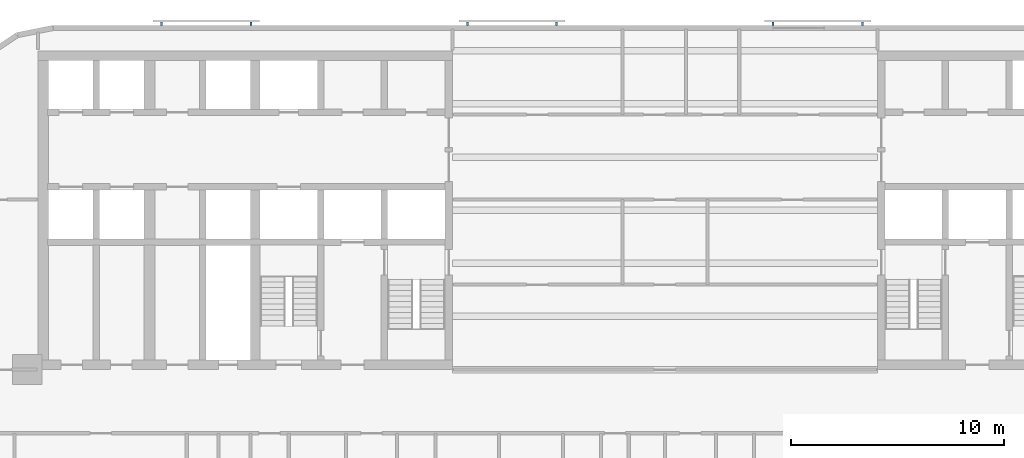
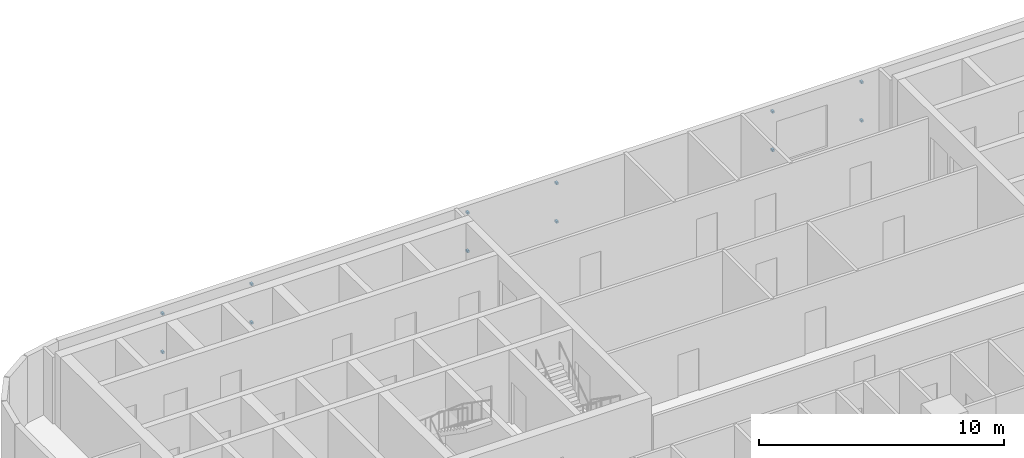
# One storey, part 10 of 14: 12 discrete accessories.
"""IFC4 building model written with IfcOpenShell, lengths in metres."""

import ifcopenshell
import ifcopenshell.guid

model = None  # the IFC model being written
_history = None  # IfcOwnerHistory: only IFC2X3 demands one
_inside = {}  # id of a spatial element -> (the spatial element, [elements in it])
_under = {}  # id of a project, library or spatial element -> (it, [spatial elements below it])
_declared = {}  # id of a project -> (the project, [libraries it declares])
_typed = {}  # id of a type object -> (the type object, [elements of that type])
_made_of = {}  # id of a material, layer set ... -> (it, [elements and type objects made of it])


def new_model(schema):
    """Start an empty IFC model of exactly this schema.

    Asked for "IFC4X3", IfcOpenShell would pick the latest addendum, in which some entities
    have other attributes; the version numbers below select the first issue.
    IFC2X3 requires an IfcOwnerHistory on every rooted entity: one is made here for all.
    """
    global model, _history
    if schema == "IFC4X3":
        model = ifcopenshell.file(schema_version=(4, 3, 0, 0))
    else:
        model = ifcopenshell.file(schema=schema)
    _inside.clear()
    _under.clear()
    _declared.clear()
    _typed.clear()
    _made_of.clear()
    _history = None
    if model.schema == "IFC2X3":
        org = make("IfcOrganization", Name="unknown")
        user = make(
            "IfcPersonAndOrganization",
            ThePerson=make("IfcPerson", FamilyName="unknown"),
            TheOrganization=org,
        )
        app = make(
            "IfcApplication",
            ApplicationDeveloper=org,
            Version="unknown",
            ApplicationFullName="unknown",
            ApplicationIdentifier="unknown",
        )
        _history = make(
            "IfcOwnerHistory",
            OwningUser=user,
            OwningApplication=app,
            ChangeAction="ADDED",
            CreationDate=0,
        )
    return model


def make(cls, **values):
    """One entity of the class cls with the attributes given. An attribute that is None is left unset."""
    return model.create_entity(
        cls, **{name: value for name, value in values.items() if value is not None}
    )


def rooted(cls, **values):
    """An entity with a GlobalId (a new one), such as an element, a storey or a relation."""
    return make(cls, GlobalId=ifcopenshell.guid.new(), OwnerHistory=_history, **values)


def si_unit(unit_type, name, prefix=None):
    """IfcSIUnit, for example si_unit("LENGTHUNIT", "METRE", prefix="MILLI")."""
    return make("IfcSIUnit", UnitType=unit_type, Prefix=prefix, Name=name)


def assignment(units):
    """IfcUnitAssignment: the units of a project."""
    return None if units is None else make("IfcUnitAssignment", Units=units)


def point(xyz):
    """IfcCartesianPoint."""
    return None if xyz is None else make("IfcCartesianPoint", Coordinates=xyz)


def direction(xyz):
    """IfcDirection."""
    return None if xyz is None else make("IfcDirection", DirectionRatios=xyz)


def frame(location, z_axis=None, x_axis=None):
    """IfcAxis2Placement3D, a coordinate frame: its origin and axes. An axis left out is left unset."""
    return make(
        "IfcAxis2Placement3D",
        Location=point(location),
        Axis=direction(z_axis),
        RefDirection=direction(x_axis),
    )


def frame_2d(location, x_axis=None):
    """IfcAxis2Placement2D, a coordinate frame in the plane: its origin and x axis."""
    return make(
        "IfcAxis2Placement2D", Location=point(location), RefDirection=direction(x_axis)
    )


def origin():
    """The frame at (0, 0, 0) with its axes left unset."""
    return frame((0.0, 0.0, 0.0))


def origin_2d():
    """The frame at (0, 0) in the plane with its x axis left unset."""
    return frame_2d((0.0, 0.0))


def place(relative_to, where):
    """IfcLocalPlacement: puts the frame where relative to a parent placement (None: the world)."""
    return make(
        "IfcLocalPlacement", PlacementRelTo=relative_to, RelativePlacement=where
    )


def context(
    kind, dimensions, precision=None, world=None, true_north=None, identifier=None
):
    """IfcGeometricRepresentationContext, for example the 3D "Model" context."""
    return make(
        "IfcGeometricRepresentationContext",
        ContextIdentifier=identifier,
        ContextType=kind,
        CoordinateSpaceDimension=dimensions,
        Precision=precision,
        WorldCoordinateSystem=world,
        TrueNorth=true_north,
    )


def subcontext(parent, identifier, kind, view, scale=None):
    """IfcGeometricRepresentationSubContext, for example "Body" below "Model"."""
    return make(
        "IfcGeometricRepresentationSubContext",
        ContextIdentifier=identifier,
        ContextType=kind,
        ParentContext=parent,
        TargetScale=scale,
        TargetView=view,
    )


def project(units=None, contexts=None):
    """IfcProject with its units and contexts."""
    return rooted(
        "IfcProject",
        Name="project",
        RepresentationContexts=contexts,
        UnitsInContext=assignment(units),
    )


def spatial(cls, under=None, at=None, **own):
    """A site, building, storey or space (cls), placed at a placement, below another one or the project."""
    s = rooted(cls, ObjectPlacement=at, **own)
    if under is not None:
        _under.setdefault(under.id(), (under, []))[1].append(s)
    return s


def profile(cls, at=None, kind="AREA", **sizes):
    """A parametric profile (cls). Its sizes go by their IFC names, for example OverallWidth=200.0."""
    return make(cls, ProfileType=kind, Position=at, **sizes)


def rectangle(**sizes):
    """IfcRectangleProfileDef."""
    return profile("IfcRectangleProfileDef", **sizes)


def extrude(swept, where, along, depth):
    """IfcExtrudedAreaSolid: the profile swept, set in the frame where, extruded along a direction by depth."""
    return make(
        "IfcExtrudedAreaSolid",
        SweptArea=swept,
        Position=where,
        ExtrudedDirection=direction(along),
        Depth=depth,
    )


def shape(context_of_items, identifier, shape_type, items):
    """IfcShapeRepresentation: the items that make up one representation, for example the "Body"."""
    return make(
        "IfcShapeRepresentation",
        ContextOfItems=context_of_items,
        RepresentationIdentifier=identifier,
        RepresentationType=shape_type,
        Items=items,
    )


def material(Name=None, Category=None):
    """IfcMaterial."""
    return make("IfcMaterial", Name=Name, Category=Category)


def made_of(thing, what):
    """Note that an element or type object is made of a material, layer set ...; save() writes the relation."""
    if what is not None:
        _made_of.setdefault(what.id(), (what, []))[1].append(thing)
    return thing


def type_object(cls, material=None, **own):
    """A type object (cls), such as IfcWallType, which elements share."""
    return made_of(rooted(cls, **own), material)


def element(
    cls,
    number,
    at=None,
    inside=None,
    cuts=None,
    type_object=None,
    material=None,
    context=None,
    identifier="Body",
    shape_type=None,
    held_by="IfcProductDefinitionShape",
    body=None,
    shapes=None,
    **own,
):
    """One element of the class cls, such as IfcWall. Its Tag is "e" and its number.

    at: its placement. inside: the storey or other place that contains it. cuts: it is an
    opening in that element (IfcRelVoidsElement). A single representation is given by context,
    identifier, shape_type and body (its items); several are given by shapes. held_by: the class
    of the entity that holds the representations. save() writes the other relations.
    """
    e = rooted(cls, Tag="e%d" % number, ObjectPlacement=at, **own)
    if body is not None:
        shapes = [shape(context, identifier, shape_type, body)]
    if shapes is not None:
        e.Representation = make(held_by, Representations=shapes)
    if inside is not None:
        _inside.setdefault(inside.id(), (inside, []))[1].append(e)
    if cuts is not None:
        rooted(
            "IfcRelVoidsElement", RelatingBuildingElement=cuts, RelatedOpeningElement=e
        )
    if type_object is not None:
        _typed.setdefault(type_object.id(), (type_object, []))[1].append(e)
    return made_of(e, material)


def aggregate(whole, parts):
    """IfcRelAggregates: a whole, such as a stair, and the parts it consists of."""
    return rooted("IfcRelAggregates", RelatingObject=whole, RelatedObjects=parts)


def save(model, path):
    """Write the relations noted so far, then the file.

    IfcRelAggregates (storeys below a building ...), IfcRelContainedInSpatialStructure (elements
    in a storey), IfcRelDefinesByType, IfcRelAssociatesMaterial and IfcRelDeclares: one each for
    every whole, place, type object, material and project.
    """
    for whole, parts in _under.values():
        aggregate(whole, parts)
    for where, things in _inside.values():
        rooted(
            "IfcRelContainedInSpatialStructure",
            RelatedElements=things,
            RelatingStructure=where,
        )
    for kind, things in _typed.values():
        rooted("IfcRelDefinesByType", RelatedObjects=things, RelatingType=kind)
    for what, things in _made_of.values():
        rooted("IfcRelAssociatesMaterial", RelatedObjects=things, RelatingMaterial=what)
    for by, libraries in _declared.values():
        rooted("IfcRelDeclares", RelatingContext=by, RelatedDefinitions=libraries)
    model.write(path)


model = new_model("IFC4")

# Units and contexts
model_context = context("Model", 3, precision=1e-05, world=origin(), true_north=direction((0.0, 1.0)))
body_context = subcontext(model_context, "Body", "Model", "MODEL_VIEW")
ifc_project = project(units=[si_unit("LENGTHUNIT", "METRE"), si_unit("AREAUNIT", "SQUARE_METRE"), si_unit("VOLUMEUNIT", "CUBIC_METRE"), si_unit("PLANEANGLEUNIT", "RADIAN"), si_unit("MASSUNIT", "GRAM", prefix="KILO")], contexts=[model_context])

# Site, building, storey
site_placement = place(None, origin())
site = spatial("IfcSite", under=ifc_project, at=site_placement, CompositionType="ELEMENT")
building_placement = place(site_placement, origin())
building = spatial("IfcBuilding", under=site, at=building_placement, Name="Torana Hotel and Residences", CompositionType="ELEMENT")
storey_placement = place(building_placement, frame((0.0, 0.0, 99.60009765625)))
storey = spatial("IfcBuildingStorey", under=building, at=storey_placement, Name="L25", CompositionType="ELEMENT", Elevation=99.60009765625)

# Discrete accessories
ifc_material = material(Name="Steel S355", Category="steel")
discrete_accessory_type = type_object("IfcDiscreteAccessoryType", Name="SCREEN BRACKET 100", PredefinedType="BRACKET", material=ifc_material)
for number, where, z_axis, x_axis, name in (
    (1, (9.293701171875, 1.27490234375, 0.749755859375), (0.0, 0.0, 1.0), (-1.0, 0.0, 0.0), "Screen bracket L25"),
    (2, (9.293701171875, 1.27490234375, 2.669921875), (0.0, 0.0, 1.0), (-1.0, 0.0, 0.0), "Screen bracket L25"),
    (3, (5.09375, 1.27490234375, 0.749755859375), (0.0, 0.0, 1.0), (-1.0, 0.0, 0.0), "Screen bracket L25"),
    (4, (5.09375, 1.27490234375, 2.669921875), (0.0, 0.0, 1.0), (-1.0, 0.0, 0.0), "Screen bracket L25"),
    (5, (-5.09375, 1.27490234375, 0.749755859375), (0.0, 0.0, 1.0), (-1.0, 0.0, 0.0), "Screen bracket L25"),
    (6, (-5.09375, 1.27490234375, 2.669921875), (0.0, 0.0, 1.0), (-1.0, 0.0, 0.0), "Screen bracket L25"),
    (7, (-9.293701171875, 1.27490234375, 0.749755859375), (0.0, 0.0, 1.0), (-1.0, 0.0, 0.0), "Screen bracket L25"),
    (8, (-9.293701171875, 1.27490234375, 2.669921875), (0.0, 0.0, 1.0), (-1.0, 0.0, 0.0), "Screen bracket L25"),
    (9, (-19.4814453125, 1.27490234375, 0.749755859375), (0.0, 0.0, 1.0), (-1.0, 0.0, 0.0), "Screen bracket L25"),
    (10, (-19.4814453125, 1.27490234375, 2.669921875), (0.0, 0.0, 1.0), (-1.0, 0.0, 0.0), "Screen bracket L25"),
    (11, (-23.681396484375, 1.27490234375, 0.749755859375), (0.0, 0.0, 1.0), (-1.0, 0.0, 0.0), "Screen bracket L25"),
    (12, (-23.681396484375, 1.27490234375, 2.669921875), (0.0, 0.0, 1.0), (-1.0, 0.0, 0.0), "Screen bracket L25"),
):
    element("IfcDiscreteAccessory", number, at=place(storey_placement, frame(where, z_axis=z_axis, x_axis=x_axis)), inside=storey, type_object=discrete_accessory_type, Name=name, PredefinedType="BRACKET", context=body_context, shape_type="SweptSolid", body=[
        extrude(rectangle(XDim=0.10009765625, YDim=0.14990234375, at=origin_2d()), origin(), (0.0, 0.0, 1.0), 0.10009765625),
    ])

save(model, "model.ifc")
